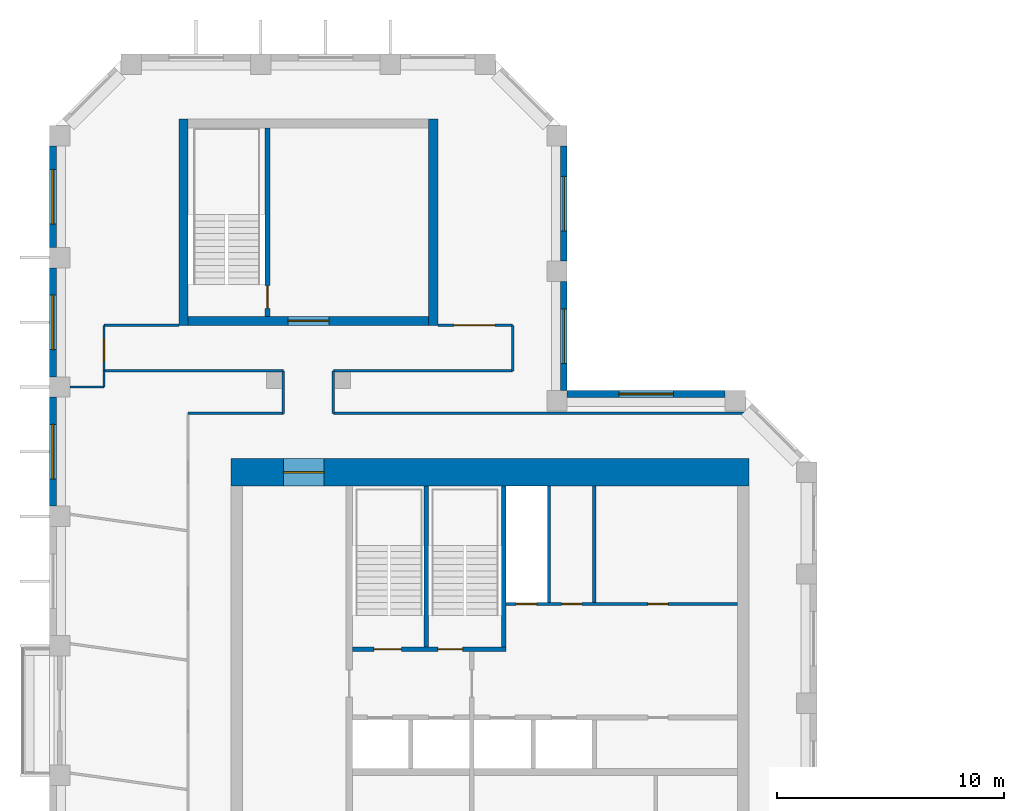
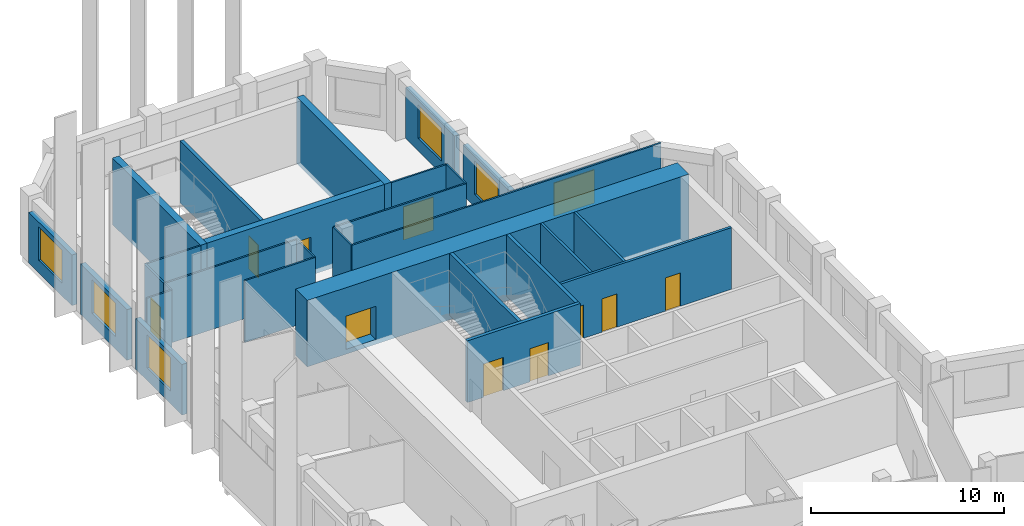
# One storey, part 6 of 8: 29 walls, 10 doors, 6 windows, 16 openings.
"""IFC4 building model written with IfcOpenShell, lengths in metres."""

import ifcopenshell
import ifcopenshell.guid

model = None  # the IFC model being written
_history = None  # IfcOwnerHistory: only IFC2X3 demands one
_inside = {}  # id of a spatial element -> (the spatial element, [elements in it])
_under = {}  # id of a project, library or spatial element -> (it, [spatial elements below it])
_declared = {}  # id of a project -> (the project, [libraries it declares])
_typed = {}  # id of a type object -> (the type object, [elements of that type])
_made_of = {}  # id of a material, layer set ... -> (it, [elements and type objects made of it])


def new_model(schema):
    """Start an empty IFC model of exactly this schema.

    Asked for "IFC4X3", IfcOpenShell would pick the latest addendum, in which some entities
    have other attributes; the version numbers below select the first issue.
    IFC2X3 requires an IfcOwnerHistory on every rooted entity: one is made here for all.
    """
    global model, _history
    if schema == "IFC4X3":
        model = ifcopenshell.file(schema_version=(4, 3, 0, 0))
    else:
        model = ifcopenshell.file(schema=schema)
    _inside.clear()
    _under.clear()
    _declared.clear()
    _typed.clear()
    _made_of.clear()
    _history = None
    if model.schema == "IFC2X3":
        org = make("IfcOrganization", Name="unknown")
        user = make(
            "IfcPersonAndOrganization",
            ThePerson=make("IfcPerson", FamilyName="unknown"),
            TheOrganization=org,
        )
        app = make(
            "IfcApplication",
            ApplicationDeveloper=org,
            Version="unknown",
            ApplicationFullName="unknown",
            ApplicationIdentifier="unknown",
        )
        _history = make(
            "IfcOwnerHistory",
            OwningUser=user,
            OwningApplication=app,
            ChangeAction="ADDED",
            CreationDate=0,
        )
    return model


def make(cls, **values):
    """One entity of the class cls with the attributes given. An attribute that is None is left unset."""
    return model.create_entity(
        cls, **{name: value for name, value in values.items() if value is not None}
    )


def rooted(cls, **values):
    """An entity with a GlobalId (a new one), such as an element, a storey or a relation."""
    return make(cls, GlobalId=ifcopenshell.guid.new(), OwnerHistory=_history, **values)


def si_unit(unit_type, name, prefix=None):
    """IfcSIUnit, for example si_unit("LENGTHUNIT", "METRE", prefix="MILLI")."""
    return make("IfcSIUnit", UnitType=unit_type, Prefix=prefix, Name=name)


def assignment(units):
    """IfcUnitAssignment: the units of a project."""
    return None if units is None else make("IfcUnitAssignment", Units=units)


def point(xyz):
    """IfcCartesianPoint."""
    return None if xyz is None else make("IfcCartesianPoint", Coordinates=xyz)


def direction(xyz):
    """IfcDirection."""
    return None if xyz is None else make("IfcDirection", DirectionRatios=xyz)


def frame(location, z_axis=None, x_axis=None):
    """IfcAxis2Placement3D, a coordinate frame: its origin and axes. An axis left out is left unset."""
    return make(
        "IfcAxis2Placement3D",
        Location=point(location),
        Axis=direction(z_axis),
        RefDirection=direction(x_axis),
    )


def frame_2d(location, x_axis=None):
    """IfcAxis2Placement2D, a coordinate frame in the plane: its origin and x axis."""
    return make(
        "IfcAxis2Placement2D", Location=point(location), RefDirection=direction(x_axis)
    )


def origin():
    """The frame at (0, 0, 0) with its axes left unset."""
    return frame((0.0, 0.0, 0.0))


def place(relative_to, where):
    """IfcLocalPlacement: puts the frame where relative to a parent placement (None: the world)."""
    return make(
        "IfcLocalPlacement", PlacementRelTo=relative_to, RelativePlacement=where
    )


def context(
    kind, dimensions, precision=None, world=None, true_north=None, identifier=None
):
    """IfcGeometricRepresentationContext, for example the 3D "Model" context."""
    return make(
        "IfcGeometricRepresentationContext",
        ContextIdentifier=identifier,
        ContextType=kind,
        CoordinateSpaceDimension=dimensions,
        Precision=precision,
        WorldCoordinateSystem=world,
        TrueNorth=true_north,
    )


def subcontext(parent, identifier, kind, view, scale=None):
    """IfcGeometricRepresentationSubContext, for example "Body" below "Model"."""
    return make(
        "IfcGeometricRepresentationSubContext",
        ContextIdentifier=identifier,
        ContextType=kind,
        ParentContext=parent,
        TargetScale=scale,
        TargetView=view,
    )


def project(units=None, contexts=None):
    """IfcProject with its units and contexts."""
    return rooted(
        "IfcProject",
        Name="project",
        RepresentationContexts=contexts,
        UnitsInContext=assignment(units),
    )


def spatial(cls, under=None, at=None, **own):
    """A site, building, storey or space (cls), placed at a placement, below another one or the project."""
    s = rooted(cls, ObjectPlacement=at, **own)
    if under is not None:
        _under.setdefault(under.id(), (under, []))[1].append(s)
    return s


def profile(cls, at=None, kind="AREA", **sizes):
    """A parametric profile (cls). Its sizes go by their IFC names, for example OverallWidth=200.0."""
    return make(cls, ProfileType=kind, Position=at, **sizes)


def rectangle(**sizes):
    """IfcRectangleProfileDef."""
    return profile("IfcRectangleProfileDef", **sizes)


def extrude(swept, where, along, depth):
    """IfcExtrudedAreaSolid: the profile swept, set in the frame where, extruded along a direction by depth."""
    return make(
        "IfcExtrudedAreaSolid",
        SweptArea=swept,
        Position=where,
        ExtrudedDirection=direction(along),
        Depth=depth,
    )


def shape(context_of_items, identifier, shape_type, items):
    """IfcShapeRepresentation: the items that make up one representation, for example the "Body"."""
    return make(
        "IfcShapeRepresentation",
        ContextOfItems=context_of_items,
        RepresentationIdentifier=identifier,
        RepresentationType=shape_type,
        Items=items,
    )


def material(Name=None, Category=None):
    """IfcMaterial."""
    return make("IfcMaterial", Name=Name, Category=Category)


def layer(
    of_material, thickness, ventilated=None, Name=None, Category=None, Priority=None
):
    """IfcMaterialLayer: one layer of a wall or slab, of a material (None: an air gap)."""
    return make(
        "IfcMaterialLayer",
        Material=of_material,
        LayerThickness=thickness,
        IsVentilated=ventilated,
        Name=Name,
        Category=Category,
        Priority=Priority,
    )


def layer_set(layers, Name=None):
    """IfcMaterialLayerSet."""
    return make("IfcMaterialLayerSet", MaterialLayers=layers, LayerSetName=Name)


def made_of(thing, what):
    """Note that an element or type object is made of a material, layer set ...; save() writes the relation."""
    if what is not None:
        _made_of.setdefault(what.id(), (what, []))[1].append(thing)
    return thing


def type_object(cls, material=None, **own):
    """A type object (cls), such as IfcWallType, which elements share."""
    return made_of(rooted(cls, **own), material)


def element(
    cls,
    number,
    at=None,
    inside=None,
    cuts=None,
    type_object=None,
    material=None,
    context=None,
    identifier="Body",
    shape_type=None,
    held_by="IfcProductDefinitionShape",
    body=None,
    shapes=None,
    **own,
):
    """One element of the class cls, such as IfcWall. Its Tag is "e" and its number.

    at: its placement. inside: the storey or other place that contains it. cuts: it is an
    opening in that element (IfcRelVoidsElement). A single representation is given by context,
    identifier, shape_type and body (its items); several are given by shapes. held_by: the class
    of the entity that holds the representations. save() writes the other relations.
    """
    e = rooted(cls, Tag="e%d" % number, ObjectPlacement=at, **own)
    if body is not None:
        shapes = [shape(context, identifier, shape_type, body)]
    if shapes is not None:
        e.Representation = make(held_by, Representations=shapes)
    if inside is not None:
        _inside.setdefault(inside.id(), (inside, []))[1].append(e)
    if cuts is not None:
        rooted(
            "IfcRelVoidsElement", RelatingBuildingElement=cuts, RelatedOpeningElement=e
        )
    if type_object is not None:
        _typed.setdefault(type_object.id(), (type_object, []))[1].append(e)
    return made_of(e, material)


def fill(opening, filler):
    """IfcRelFillsElement: the door or window that sits in an opening."""
    return rooted(
        "IfcRelFillsElement",
        RelatingOpeningElement=opening,
        RelatedBuildingElement=filler,
    )


def aggregate(whole, parts):
    """IfcRelAggregates: a whole, such as a stair, and the parts it consists of."""
    return rooted("IfcRelAggregates", RelatingObject=whole, RelatedObjects=parts)


def save(model, path):
    """Write the relations noted so far, then the file.

    IfcRelAggregates (storeys below a building ...), IfcRelContainedInSpatialStructure (elements
    in a storey), IfcRelDefinesByType, IfcRelAssociatesMaterial and IfcRelDeclares: one each for
    every whole, place, type object, material and project.
    """
    for whole, parts in _under.values():
        aggregate(whole, parts)
    for where, things in _inside.values():
        rooted(
            "IfcRelContainedInSpatialStructure",
            RelatedElements=things,
            RelatingStructure=where,
        )
    for kind, things in _typed.values():
        rooted("IfcRelDefinesByType", RelatedObjects=things, RelatingType=kind)
    for what, things in _made_of.values():
        rooted("IfcRelAssociatesMaterial", RelatedObjects=things, RelatingMaterial=what)
    for by, libraries in _declared.values():
        rooted("IfcRelDeclares", RelatingContext=by, RelatedDefinitions=libraries)
    model.write(path)


model = new_model("IFC4")

# Units and contexts
model_context = context("Model", 3, precision=1e-05, world=origin(), true_north=direction((0.0, 1.0)))
body_context = subcontext(model_context, "Body", "Model", "MODEL_VIEW")
ifc_project = project(units=[si_unit("LENGTHUNIT", "METRE"), si_unit("AREAUNIT", "SQUARE_METRE"), si_unit("VOLUMEUNIT", "CUBIC_METRE"), si_unit("PLANEANGLEUNIT", "RADIAN"), si_unit("MASSUNIT", "GRAM", prefix="KILO")], contexts=[model_context])

# Site, building, storey
site_placement = place(None, origin())
site = spatial("IfcSite", under=ifc_project, at=site_placement, CompositionType="ELEMENT")
building_placement = place(site_placement, origin())
building = spatial("IfcBuilding", under=site, at=building_placement, Name="Meshkara Civic Tower", CompositionType="ELEMENT")
storey_placement = place(building_placement, frame((0.0, 0.0, 387.60009765625)))
storey = spatial("IfcBuildingStorey", under=building, at=storey_placement, Name="L89", CompositionType="ELEMENT", Elevation=387.60009765625)

# Wall, openings, doors
ifc_material_1 = material(Name="Blockwork", Category="masonry")
ifc_layer_1 = layer(ifc_material_1, 0.14990234375)
ifc_layer_set_1 = layer_set([ifc_layer_1], Name="Core partition 150")
wall_type_1 = type_object("IfcWallType", Name="Core partition 150", PredefinedType="PARTITIONING", material=ifc_layer_set_1)
wall_1_placement = place(storey_placement, frame((20.10009765625, 30.5, 0.0), z_axis=(0.0, 0.0, 1.0), x_axis=(1.0, 0.0, 0.0)))
wall_1 = element("IfcWall", 1, at=wall_1_placement, inside=storey, type_object=wall_type_1, Name="L89-C010", PredefinedType="PARTITIONING", context=body_context, shape_type="SweptSolid", body=[
    extrude(rectangle(XDim=10.199951171875, YDim=0.14990234375, at=frame_2d((5.10009765625, 0.0))), origin(), (0.0, 0.0, 1.0), 3.89990234375),
])
opening_1_placement = place(wall_1_placement, frame((0.449951171875, 0.0, 0.0)))
opening_1 = element("IfcOpeningElement", 2, at=opening_1_placement, cuts=wall_1, Name="Opening L89-K014", PredefinedType="OPENING", context=body_context, shape_type="SweptSolid", body=[
    extrude(rectangle(XDim=0.89990234375, YDim=2.10009765625, at=frame_2d((0.449951171875, 1.050048828125))), frame((0.0, 0.0849609375, 0.0), z_axis=(0.0, -1.0, 0.0), x_axis=(1.0, 0.0, 0.0)), (0.0, 0.0, 1.0), 0.169921875),
])
opening_2_placement = place(wall_1_placement, frame((2.449951171875, 0.0, 0.0)))
opening_2 = element("IfcOpeningElement", 3, at=opening_2_placement, cuts=wall_1, Name="Opening L89-K015", PredefinedType="OPENING", context=body_context, shape_type="SweptSolid", body=[
    extrude(rectangle(XDim=0.89990234375, YDim=2.10009765625, at=frame_2d((0.449951171875, 1.050048828125))), frame((0.0, 0.0849609375, 0.0), z_axis=(0.0, -1.0, 0.0), x_axis=(1.0, 0.0, 0.0)), (0.0, 0.0, 1.0), 0.169921875),
])
opening_3_placement = place(wall_1_placement, frame((6.25, 0.0, 0.0)))
opening_3 = element("IfcOpeningElement", 4, at=opening_3_placement, cuts=wall_1, Name="Opening L89-K016", PredefinedType="OPENING", context=body_context, shape_type="SweptSolid", body=[
    extrude(rectangle(XDim=0.89990234375, YDim=2.10009765625, at=frame_2d((0.449951171875, 1.050048828125))), frame((0.0, 0.0849609375, 0.0), z_axis=(0.0, -1.0, 0.0), x_axis=(1.0, 0.0, 0.0)), (0.0, 0.0, 1.0), 0.169921875),
])
ifc_material_2 = material(Name="Timber door leaf in steel frame", Category="steel")
door_type_1 = type_object("IfcDoorType", Name="Core room door 900", OperationType="SINGLE_SWING_LEFT", PredefinedType="DOOR", material=ifc_material_2)
door_1_placement = place(opening_3_placement, origin())
door_1 = element("IfcDoor", 5, at=door_1_placement, inside=storey, type_object=door_type_1, Name="L89-K016", OperationType="SINGLE_SWING_RIGHT", OverallHeight=2.10009765625, OverallWidth=0.89990234375, PredefinedType="DOOR", context=body_context, shape_type="SweptSolid", body=[
    extrude(rectangle(XDim=0.89990234375, YDim=2.10009765625, at=frame_2d((0.449951171875, 1.050048828125))), frame((0.0, 0.02490234375, 0.0), z_axis=(0.0, -1.0, 0.0), x_axis=(1.0, 0.0, 0.0)), (0.0, 0.0, 1.0), 0.050048828125),
])
fill(opening_3, door_1)
ifc_material_3 = material(Name="Fire-rated door leaf in steel frame", Category="steel")
door_type_2 = type_object("IfcDoorType", Name="Riser door 900", OperationType="SINGLE_SWING_LEFT", PredefinedType="DOOR", material=ifc_material_3)
door_2_placement = place(opening_1_placement, origin())
door_2 = element("IfcDoor", 6, at=door_2_placement, inside=storey, type_object=door_type_2, Name="L89-K014", OperationType="SINGLE_SWING_RIGHT", OverallHeight=2.10009765625, OverallWidth=0.89990234375, PredefinedType="DOOR", context=body_context, shape_type="SweptSolid", body=[
    extrude(rectangle(XDim=0.89990234375, YDim=2.10009765625, at=frame_2d((0.449951171875, 1.050048828125))), frame((0.0, 0.02490234375, 0.0), z_axis=(0.0, -1.0, 0.0), x_axis=(1.0, 0.0, 0.0)), (0.0, 0.0, 1.0), 0.050048828125),
])
fill(opening_1, door_2)
ifc_material_4 = material(Name="Timber door leaf in steel frame", Category="steel")
door_type_3 = type_object("IfcDoorType", Name="WC door 900", OperationType="SINGLE_SWING_LEFT", PredefinedType="DOOR", material=ifc_material_4)
door_3_placement = place(opening_2_placement, origin())
door_3 = element("IfcDoor", 7, at=door_3_placement, inside=storey, type_object=door_type_3, Name="L89-K015", OperationType="SINGLE_SWING_LEFT", OverallHeight=2.10009765625, OverallWidth=0.89990234375, PredefinedType="DOOR", context=body_context, shape_type="SweptSolid", body=[
    extrude(rectangle(XDim=0.89990234375, YDim=2.10009765625, at=frame_2d((0.449951171875, 1.050048828125))), frame((0.0, 0.02490234375, 0.0), z_axis=(0.0, -1.0, 0.0), x_axis=(1.0, 0.0, 0.0)), (0.0, 0.0, 1.0), 0.050048828125),
])
fill(opening_2, door_3)

# Walls
for number, where, z_axis, x_axis, name in (
    (8, (22.0, 30.574951171875, 0.0), (0.0, 0.0, 1.0), (0.0, 1.0, 0.0), "L89-C020"),
    (9, (24.0, 30.574951171875, 0.0), (0.0, 0.0, 1.0), (0.0, 1.0, 0.0), "L89-C023"),
):
    element("IfcWall", number, at=place(storey_placement, frame(where, z_axis=z_axis, x_axis=x_axis)), inside=storey, type_object=wall_type_1, Name=name, PredefinedType="PARTITIONING", context=body_context, shape_type="SweptSolid", body=[
        extrude(rectangle(XDim=5.125, YDim=0.14990234375, at=frame_2d((2.5625, 0.0))), origin(), (0.0, 0.0, 1.0), 3.89990234375),
    ])

# Wall, opening, door
ifc_material_5 = material(Name="Concrete C50", Category="concrete")
ifc_layer_2 = layer(ifc_material_5, 1.199951171875)
ifc_layer_set_2 = layer_set([ifc_layer_2], Name="Core ring wall 1200 C50")
wall_type_2 = type_object("IfcWallType", Name="Core ring wall 1200 C50", PredefinedType="SHEAR", material=ifc_layer_set_2)
wall_2_placement = place(storey_placement, frame((8.0, 36.300048828125, -0.300048828125), z_axis=(0.0, 0.0, 1.0), x_axis=(1.0, 0.0, 0.0)))
wall_2 = element("IfcWall", 10, at=wall_2_placement, inside=storey, type_object=wall_type_2, Name="L89-C002", PredefinedType="SHEAR", context=body_context, shape_type="SweptSolid", body=[
    extrude(rectangle(XDim=22.800048828125, YDim=1.199951171875, at=frame_2d((11.39990234375, 0.0))), origin(), (0.0, 0.0, 1.0), 4.199951171875),
])
opening_4_placement = place(wall_2_placement, frame((2.300048828125, 0.0, 0.300048828125)))
opening_4 = element("IfcOpeningElement", 11, at=opening_4_placement, cuts=wall_2, Name="Opening L89-K022", PredefinedType="OPENING", context=body_context, shape_type="SweptSolid", body=[
    extrude(rectangle(XDim=1.800048828125, YDim=2.10009765625, at=frame_2d((0.89990234375, 1.050048828125))), frame((0.0, 0.60986328125, 0.0), z_axis=(0.0, -1.0, 0.0), x_axis=(1.0, 0.0, 0.0)), (0.0, 0.0, 1.0), 1.219970703125),
])
ifc_material_6 = material(Name="Fire-rated door leaf in steel frame", Category="steel")
door_type_4 = type_object("IfcDoorType", Name="Core double door 1800 EI 60", OperationType="DOUBLE_DOOR_SINGLE_SWING", PredefinedType="DOOR", material=ifc_material_6)
door_4_placement = place(opening_4_placement, origin())
door_4 = element("IfcDoor", 12, at=door_4_placement, inside=storey, type_object=door_type_4, Name="L89-K022", OperationType="DOUBLE_DOOR_SINGLE_SWING", OverallHeight=2.10009765625, OverallWidth=1.800048828125, PredefinedType="DOOR", context=body_context, shape_type="SweptSolid", body=[
    extrude(rectangle(XDim=1.800048828125, YDim=2.10009765625, at=frame_2d((0.89990234375, 1.050048828125))), frame((0.0, 0.02490234375, 0.0), z_axis=(0.0, -1.0, 0.0), x_axis=(1.0, 0.0, 0.0)), (0.0, 0.0, 1.0), 0.050048828125),
])
fill(opening_4, door_4)

# Wall
ifc_material_7 = material(Name="Corridor wall 100")
ifc_layer_3 = layer(ifc_material_7, 0.10009765625)
ifc_layer_set_3 = layer_set([ifc_layer_3], Name="Corridor wall 100")
wall_type_3 = type_object("IfcWallType", Name="Corridor wall 100", PredefinedType="PARTITIONING", material=ifc_layer_set_3)
wall_3_placement = place(storey_placement, frame((2.39990234375, 40.77001953125, 0.0), z_axis=(0.0, 0.0, 1.0), x_axis=(1.0, 0.0, 0.0)))
element("IfcWall", 13, at=wall_3_placement, inside=storey, type_object=wall_type_3, Name="L89-W001", PredefinedType="PARTITIONING", context=body_context, shape_type="SweptSolid", body=[
    extrude(rectangle(XDim=7.900146484375, YDim=0.10009765625, at=frame_2d((3.9501953125, 0.0))), origin(), (0.0, 0.0, 1.0), 3.89990234375),
])

# Wall, opening, door
wall_4_placement = place(storey_placement, frame((2.39990234375, 42.77001953125, 0.0), z_axis=(0.0, 0.0, 1.0), x_axis=(0.0, -1.0, 0.0)))
wall_4 = element("IfcWall", 14, at=wall_4_placement, inside=storey, type_object=wall_type_3, Name="L89-W002", PredefinedType="PARTITIONING", context=body_context, shape_type="SweptSolid", body=[
    extrude(rectangle(XDim=2.0, YDim=0.10009765625, at=frame_2d((1.0, 0.0))), origin(), (0.0, 0.0, 1.0), 3.89990234375),
])
opening_5_placement = place(wall_4_placement, frame((0.580078125, 0.0, 0.0)))
opening_5 = element("IfcOpeningElement", 15, at=opening_5_placement, cuts=wall_4, Name="Opening L89-D014", PredefinedType="OPENING", context=body_context, shape_type="SweptSolid", body=[
    extrude(rectangle(XDim=1.0, YDim=2.10009765625, at=frame_2d((0.5, 1.050048828125))), frame((0.0, 0.06005859375, 0.0), z_axis=(0.0, -1.0, 0.0), x_axis=(1.0, 0.0, 0.0)), (0.0, 0.0, 1.0), 0.1201171875),
])
ifc_material_8 = material(Name="Door 1000 x 2100")
door_type_5 = type_object("IfcDoorType", Name="Door 1000 x 2100", OperationType="SINGLE_SWING_LEFT", PredefinedType="DOOR", material=ifc_material_8)
door_5_placement = place(opening_5_placement, origin())
door_5 = element("IfcDoor", 16, at=door_5_placement, inside=storey, type_object=door_type_5, Name="L89-D014", OperationType="SINGLE_SWING_LEFT", OverallHeight=2.10009765625, OverallWidth=1.0, PredefinedType="DOOR", context=body_context, shape_type="SweptSolid", body=[
    extrude(rectangle(XDim=1.0, YDim=2.10009765625, at=frame_2d((0.5, 1.050048828125))), frame((0.0, 0.02490234375, 0.0), z_axis=(0.0, -1.0, 0.0), x_axis=(1.0, 0.0, 0.0)), (0.0, 0.0, 1.0), 0.050048828125),
])
fill(opening_5, door_5)

# Walls
wall_5_placement = place(storey_placement, frame((5.699951171875, 42.77001953125, 0.0), z_axis=(0.0, 0.0, 1.0), x_axis=(-1.0, 0.0, 0.0)))
element("IfcWall", 17, at=wall_5_placement, inside=storey, type_object=wall_type_3, Name="L89-W003", PredefinedType="PARTITIONING", context=body_context, shape_type="SweptSolid", body=[
    extrude(rectangle(XDim=3.300048828125, YDim=0.10009765625, at=frame_2d((1.64990234375, 0.0))), origin(), (0.0, 0.0, 1.0), 3.89990234375),
])
wall_6_placement = place(storey_placement, frame((10.300048828125, 38.89990234375, 0.0), z_axis=(0.0, 0.0, 1.0), x_axis=(-1.0, 0.0, 0.0)))
element("IfcWall", 18, at=wall_6_placement, inside=storey, type_object=wall_type_3, Name="L89-W011", PredefinedType="PARTITIONING", context=body_context, shape_type="SweptSolid", body=[
    extrude(rectangle(XDim=4.199951171875, YDim=0.10009765625, at=frame_2d((2.10009765625, 0.0))), origin(), (0.0, 0.0, 1.0), 3.89990234375),
])
for number, where, z_axis, x_axis, name in (
    (19, (10.300048828125, 40.77001953125, 0.0), (0.0, 0.0, 1.0), (0.0, -1.0, 0.0), "L89-W012"),
    (20, (12.5, 38.89990234375, 0.0), (0.0, 0.0, 1.0), (0.0, 1.0, 0.0), "L89-W013"),
):
    element("IfcWall", number, at=place(storey_placement, frame(where, z_axis=z_axis, x_axis=x_axis)), inside=storey, type_object=wall_type_3, Name=name, PredefinedType="PARTITIONING", context=body_context, shape_type="SweptSolid", body=[
        extrude(rectangle(XDim=1.8701171875, YDim=0.10009765625, at=frame_2d((0.93505859375, 0.0))), origin(), (0.0, 0.0, 1.0), 3.89990234375),
    ])
wall_7_placement = place(storey_placement, frame((12.5, 40.77001953125, 0.0), z_axis=(0.0, 0.0, 1.0), x_axis=(1.0, 0.0, 0.0)))
element("IfcWall", 21, at=wall_7_placement, inside=storey, type_object=wall_type_3, Name="L89-W014", PredefinedType="PARTITIONING", context=body_context, shape_type="SweptSolid", body=[
    extrude(rectangle(XDim=7.89990234375, YDim=0.10009765625, at=frame_2d((3.949951171875, 0.0))), origin(), (0.0, 0.0, 1.0), 3.89990234375),
])
wall_8_placement = place(storey_placement, frame((20.39990234375, 40.77001953125, 0.0), z_axis=(0.0, 0.0, 1.0), x_axis=(0.0, 1.0, 0.0)))
element("IfcWall", 22, at=wall_8_placement, inside=storey, type_object=wall_type_3, Name="L89-W016", PredefinedType="PARTITIONING", context=body_context, shape_type="SweptSolid", body=[
    extrude(rectangle(XDim=2.0, YDim=0.10009765625, at=frame_2d((1.0, 0.0))), origin(), (0.0, 0.0, 1.0), 3.89990234375),
])

# Wall, opening, door
wall_9_placement = place(storey_placement, frame((20.39990234375, 42.77001953125, 0.0), z_axis=(0.0, 0.0, 1.0), x_axis=(-1.0, 0.0, 0.0)))
wall_9 = element("IfcWall", 23, at=wall_9_placement, inside=storey, type_object=wall_type_3, Name="L89-W017", PredefinedType="PARTITIONING", context=body_context, shape_type="SweptSolid", body=[
    extrude(rectangle(XDim=3.2998046875, YDim=0.10009765625, at=frame_2d((1.64990234375, 0.0))), origin(), (0.0, 0.0, 1.0), 3.89990234375),
])
opening_6_placement = place(wall_9_placement, frame((0.780029296875, 0.0, 0.0)))
opening_6 = element("IfcOpeningElement", 24, at=opening_6_placement, cuts=wall_9, Name="Opening L89-D016", PredefinedType="OPENING", context=body_context, shape_type="SweptSolid", body=[
    extrude(rectangle(XDim=1.800048828125, YDim=2.10009765625, at=frame_2d((0.89990234375, 1.050048828125))), frame((0.0, 0.06005859375, 0.0), z_axis=(0.0, -1.0, 0.0), x_axis=(1.0, 0.0, 0.0)), (0.0, 0.0, 1.0), 0.1201171875),
])
ifc_material_9 = material(Name="Door pair 1800 x 2100")
door_type_6 = type_object("IfcDoorType", Name="Door pair 1800 x 2100", OperationType="SINGLE_SWING_LEFT", PredefinedType="DOOR", material=ifc_material_9)
door_6_placement = place(opening_6_placement, origin())
door_6 = element("IfcDoor", 25, at=door_6_placement, inside=storey, type_object=door_type_6, Name="L89-D016", OperationType="DOUBLE_DOOR_SINGLE_SWING", OverallHeight=2.10009765625, OverallWidth=1.800048828125, PredefinedType="DOOR", context=body_context, shape_type="SweptSolid", body=[
    extrude(rectangle(XDim=1.800048828125, YDim=2.10009765625, at=frame_2d((0.89990234375, 1.050048828125))), frame((0.0, 0.02490234375, 0.0), z_axis=(0.0, -1.0, 0.0), x_axis=(1.0, 0.0, 0.0)), (0.0, 0.0, 1.0), 0.050048828125),
])
fill(opening_6, door_6)

# Wall
wall_10_placement = place(storey_placement, frame((30.9560546875, 38.89990234375, 0.0), z_axis=(0.0, 0.0, 1.0), x_axis=(-1.0, 0.0, 0.0)))
element("IfcWall", 26, at=wall_10_placement, inside=storey, type_object=wall_type_3, Name="L89-W023", PredefinedType="PARTITIONING", context=body_context, shape_type="SweptSolid", body=[
    extrude(rectangle(XDim=18.4560546875, YDim=0.10009765625, at=frame_2d((9.22802734375, 0.0))), origin(), (0.0, 0.0, 1.0), 3.89990234375),
])

# Wall, opening, window
ifc_material_10 = material(Name="Insulated infill panel with bronze anodised aluminium cladding", Category="aluminium")
ifc_layer_4 = layer(ifc_material_10, 0.300048828125)
ifc_layer_set_4 = layer_set([ifc_layer_4], Name="EXTERNAL INFILL WALL 300")
wall_type_4 = type_object("IfcWallType", Name="EXTERNAL INFILL WALL 300", PredefinedType="SOLIDWALL", material=ifc_layer_set_4)
wall_11_placement = place(storey_placement, frame((29.743896484375, 39.75, 0.0), z_axis=(0.0, 0.0, 1.0), x_axis=(-1.0, 0.0, 0.0)))
wall_11 = element("IfcWall", 27, at=wall_11_placement, inside=storey, type_object=wall_type_4, Name="External wall", PredefinedType="SOLIDWALL", context=body_context, shape_type="SweptSolid", body=[
    extrude(rectangle(XDim=6.94384765625, YDim=0.300048828125, at=frame_2d((3.471923828125, 0.0))), origin(), (0.0, 0.0, 1.0), 3.199951171875),
])
opening_7_placement = place(wall_11_placement, frame((2.27197265625, 0.0, 0.800048828125)))
opening_7 = element("IfcOpeningElement", 28, at=opening_7_placement, cuts=wall_11, Name="Opening W7", PredefinedType="OPENING", context=body_context, shape_type="SweptSolid", body=[
    extrude(rectangle(XDim=2.39990234375, YDim=2.10009765625, at=frame_2d((1.199951171875, 1.050048828125))), frame((0.0, 0.159912109375, 0.0), z_axis=(0.0, -1.0, 0.0), x_axis=(1.0, 0.0, 0.0)), (0.0, 0.0, 1.0), 0.320068359375),
])
ifc_material_11 = material(Name="Tinted double glazing", Category="glass")
window_type = type_object("IfcWindowType", Name="WINDOW 2400x2100", PartitioningType="DOUBLE_PANEL_VERTICAL", PredefinedType="WINDOW", material=ifc_material_11)
window_1_placement = place(opening_7_placement, origin())
window_1 = element("IfcWindow", 29, at=window_1_placement, inside=storey, type_object=window_type, Name="Window", OverallHeight=2.10009765625, OverallWidth=2.39990234375, PartitioningType="DOUBLE_PANEL_VERTICAL", PredefinedType="WINDOW", context=body_context, shape_type="SweptSolid", body=[
    extrude(rectangle(XDim=2.39990234375, YDim=2.10009765625, at=frame_2d((1.199951171875, 1.050048828125))), frame((0.0, 0.030029296875, 0.0), z_axis=(0.0, -1.0, 0.0), x_axis=(1.0, 0.0, 0.0)), (0.0, 0.0, 1.0), 0.06005859375),
])
fill(opening_7, window_1)

wall_12_placement = place(storey_placement, frame((22.64990234375, 39.89990234375, 0.0), z_axis=(0.0, 0.0, 1.0), x_axis=(0.0, 1.0, 0.0)))
wall_12 = element("IfcWall", 30, at=wall_12_placement, inside=storey, type_object=wall_type_4, Name="External wall", PredefinedType="SOLIDWALL", context=body_context, shape_type="SweptSolid", body=[
    extrude(rectangle(XDim=4.800048828125, YDim=0.300048828125, at=frame_2d((2.39990234375, 0.0))), origin(), (0.0, 0.0, 1.0), 3.199951171875),
])
opening_8_placement = place(wall_12_placement, frame((1.199951171875, 0.0, 0.800048828125)))
opening_8 = element("IfcOpeningElement", 31, at=opening_8_placement, cuts=wall_12, Name="Opening W7", PredefinedType="OPENING", context=body_context, shape_type="SweptSolid", body=[
    extrude(rectangle(XDim=2.39990234375, YDim=2.10009765625, at=frame_2d((1.199951171875, 1.050048828125))), frame((0.0, 0.159912109375, 0.0), z_axis=(0.0, -1.0, 0.0), x_axis=(1.0, 0.0, 0.0)), (0.0, 0.0, 1.0), 0.320068359375),
])
window_2_placement = place(opening_8_placement, origin())
window_2 = element("IfcWindow", 32, at=window_2_placement, inside=storey, type_object=window_type, Name="Window", OverallHeight=2.10009765625, OverallWidth=2.39990234375, PartitioningType="DOUBLE_PANEL_VERTICAL", PredefinedType="WINDOW", context=body_context, shape_type="SweptSolid", body=[
    extrude(rectangle(XDim=2.39990234375, YDim=2.10009765625, at=frame_2d((1.199951171875, 1.050048828125))), frame((0.0, 0.030029296875, 0.0), z_axis=(0.0, -1.0, 0.0), x_axis=(1.0, 0.0, 0.0)), (0.0, 0.0, 1.0), 0.06005859375),
])
fill(opening_8, window_2)

wall_13_placement = place(storey_placement, frame((22.64990234375, 45.60009765625, 0.0), z_axis=(0.0, 0.0, 1.0), x_axis=(0.0, 1.0, 0.0)))
wall_13 = element("IfcWall", 33, at=wall_13_placement, inside=storey, type_object=wall_type_4, Name="External wall", PredefinedType="SOLIDWALL", context=body_context, shape_type="SweptSolid", body=[
    extrude(rectangle(XDim=5.06396484375, YDim=0.300048828125, at=frame_2d((2.531982421875, 0.0))), origin(), (0.0, 0.0, 1.0), 3.199951171875),
])
opening_9_placement = place(wall_13_placement, frame((1.33203125, 0.0, 0.800048828125)))
opening_9 = element("IfcOpeningElement", 34, at=opening_9_placement, cuts=wall_13, Name="Opening W7", PredefinedType="OPENING", context=body_context, shape_type="SweptSolid", body=[
    extrude(rectangle(XDim=2.39990234375, YDim=2.10009765625, at=frame_2d((1.199951171875, 1.050048828125))), frame((0.0, 0.159912109375, 0.0), z_axis=(0.0, -1.0, 0.0), x_axis=(1.0, 0.0, 0.0)), (0.0, 0.0, 1.0), 0.320068359375),
])
window_3_placement = place(opening_9_placement, origin())
window_3 = element("IfcWindow", 35, at=window_3_placement, inside=storey, type_object=window_type, Name="Window", OverallHeight=2.10009765625, OverallWidth=2.39990234375, PartitioningType="DOUBLE_PANEL_VERTICAL", PredefinedType="WINDOW", context=body_context, shape_type="SweptSolid", body=[
    extrude(rectangle(XDim=2.39990234375, YDim=2.10009765625, at=frame_2d((1.199951171875, 1.050048828125))), frame((0.0, 0.030029296875, 0.0), z_axis=(0.0, -1.0, 0.0), x_axis=(1.0, 0.0, 0.0)), (0.0, 0.0, 1.0), 0.06005859375),
])
fill(opening_9, window_3)

wall_14_placement = place(storey_placement, frame((0.14990234375, 50.6640625, 0.0), z_axis=(0.0, 0.0, 1.0), x_axis=(0.0, -1.0, 0.0)))
wall_14 = element("IfcWall", 36, at=wall_14_placement, inside=storey, type_object=wall_type_4, Name="External wall", PredefinedType="SOLIDWALL", context=body_context, shape_type="SweptSolid", body=[
    extrude(rectangle(XDim=4.458984375, YDim=0.300048828125, at=frame_2d((2.2294921875, 0.0))), origin(), (0.0, 0.0, 1.0), 3.199951171875),
])
opening_10_placement = place(wall_14_placement, frame((1.029052734375, 0.0, 0.800048828125)))
opening_10 = element("IfcOpeningElement", 37, at=opening_10_placement, cuts=wall_14, Name="Opening W7", PredefinedType="OPENING", context=body_context, shape_type="SweptSolid", body=[
    extrude(rectangle(XDim=2.39990234375, YDim=2.10009765625, at=frame_2d((1.199951171875, 1.050048828125))), frame((0.0, 0.159912109375, 0.0), z_axis=(0.0, -1.0, 0.0), x_axis=(1.0, 0.0, 0.0)), (0.0, 0.0, 1.0), 0.320068359375),
])
window_4_placement = place(opening_10_placement, origin())
window_4 = element("IfcWindow", 38, at=window_4_placement, inside=storey, type_object=window_type, Name="Window", OverallHeight=2.10009765625, OverallWidth=2.39990234375, PartitioningType="DOUBLE_PANEL_VERTICAL", PredefinedType="WINDOW", context=body_context, shape_type="SweptSolid", body=[
    extrude(rectangle(XDim=2.39990234375, YDim=2.10009765625, at=frame_2d((1.199951171875, 1.050048828125))), frame((0.0, 0.030029296875, 0.0), z_axis=(0.0, -1.0, 0.0), x_axis=(1.0, 0.0, 0.0)), (0.0, 0.0, 1.0), 0.06005859375),
])
fill(opening_10, window_4)

wall_15_placement = place(storey_placement, frame((0.14990234375, 45.304931640625, 0.0), z_axis=(0.0, 0.0, 1.0), x_axis=(0.0, -1.0, 0.0)))
wall_15 = element("IfcWall", 39, at=wall_15_placement, inside=storey, type_object=wall_type_4, Name="External wall", PredefinedType="SOLIDWALL", context=body_context, shape_type="SweptSolid", body=[
    extrude(rectangle(XDim=4.800048828125, YDim=0.300048828125, at=frame_2d((2.39990234375, 0.0))), origin(), (0.0, 0.0, 1.0), 3.199951171875),
])
opening_11_placement = place(wall_15_placement, frame((1.199951171875, 0.0, 0.800048828125)))
opening_11 = element("IfcOpeningElement", 40, at=opening_11_placement, cuts=wall_15, Name="Opening W7", PredefinedType="OPENING", context=body_context, shape_type="SweptSolid", body=[
    extrude(rectangle(XDim=2.39990234375, YDim=2.10009765625, at=frame_2d((1.199951171875, 1.050048828125))), frame((0.0, 0.159912109375, 0.0), z_axis=(0.0, -1.0, 0.0), x_axis=(1.0, 0.0, 0.0)), (0.0, 0.0, 1.0), 0.320068359375),
])
window_5_placement = place(opening_11_placement, origin())
window_5 = element("IfcWindow", 41, at=window_5_placement, inside=storey, type_object=window_type, Name="Window", OverallHeight=2.10009765625, OverallWidth=2.39990234375, PartitioningType="DOUBLE_PANEL_VERTICAL", PredefinedType="WINDOW", context=body_context, shape_type="SweptSolid", body=[
    extrude(rectangle(XDim=2.39990234375, YDim=2.10009765625, at=frame_2d((1.199951171875, 1.050048828125))), frame((0.0, 0.030029296875, 0.0), z_axis=(0.0, -1.0, 0.0), x_axis=(1.0, 0.0, 0.0)), (0.0, 0.0, 1.0), 0.06005859375),
])
fill(opening_11, window_5)

wall_16_placement = place(storey_placement, frame((0.14990234375, 39.60498046875, 0.0), z_axis=(0.0, 0.0, 1.0), x_axis=(0.0, -1.0, 0.0)))
wall_16 = element("IfcWall", 42, at=wall_16_placement, inside=storey, type_object=wall_type_4, Name="External wall", PredefinedType="SOLIDWALL", context=body_context, shape_type="SweptSolid", body=[
    extrude(rectangle(XDim=4.800048828125, YDim=0.300048828125, at=frame_2d((2.39990234375, 0.0))), origin(), (0.0, 0.0, 1.0), 3.199951171875),
])
opening_12_placement = place(wall_16_placement, frame((1.199951171875, 0.0, 0.800048828125)))
opening_12 = element("IfcOpeningElement", 43, at=opening_12_placement, cuts=wall_16, Name="Opening W7", PredefinedType="OPENING", context=body_context, shape_type="SweptSolid", body=[
    extrude(rectangle(XDim=2.39990234375, YDim=2.10009765625, at=frame_2d((1.199951171875, 1.050048828125))), frame((0.0, 0.159912109375, 0.0), z_axis=(0.0, -1.0, 0.0), x_axis=(1.0, 0.0, 0.0)), (0.0, 0.0, 1.0), 0.320068359375),
])
window_6_placement = place(opening_12_placement, origin())
window_6 = element("IfcWindow", 44, at=window_6_placement, inside=storey, type_object=window_type, Name="Window", OverallHeight=2.10009765625, OverallWidth=2.39990234375, PartitioningType="DOUBLE_PANEL_VERTICAL", PredefinedType="WINDOW", context=body_context, shape_type="SweptSolid", body=[
    extrude(rectangle(XDim=2.39990234375, YDim=2.10009765625, at=frame_2d((1.199951171875, 1.050048828125))), frame((0.0, 0.030029296875, 0.0), z_axis=(0.0, -1.0, 0.0), x_axis=(1.0, 0.0, 0.0)), (0.0, 0.0, 1.0), 0.06005859375),
])
fill(opening_12, window_6)

# Walls
ifc_material_12 = material(Name="Concrete C50", Category="concrete")
ifc_layer_5 = layer(ifc_material_12, 0.39990234375)
ifc_layer_set_5 = layer_set([ifc_layer_5], Name="End core ring wall 400 C50")
wall_type_5 = type_object("IfcWallType", Name="End core ring wall 400 C50", PredefinedType="SHEAR", material=ifc_layer_set_5)
for number, where, z_axis, x_axis, name in (
    (45, (5.89990234375, 42.77001953125, -0.300048828125), (0.0, 0.0, 1.0), (0.0, 1.0, 0.0), "L89-C027"),
    (46, (16.89990234375, 42.77001953125, -0.300048828125), (0.0, 0.0, 1.0), (0.0, 1.0, 0.0), "L89-C028"),
):
    element("IfcWall", number, at=place(storey_placement, frame(where, z_axis=z_axis, x_axis=x_axis)), inside=storey, type_object=wall_type_5, Name=name, PredefinedType="SHEAR", context=body_context, shape_type="SweptSolid", body=[
        extrude(rectangle(XDim=9.10009765625, YDim=0.39990234375, at=frame_2d((4.550048828125, 0.0))), origin(), (0.0, 0.0, 1.0), 4.199951171875),
    ])

# Wall, opening, door
wall_17_placement = place(storey_placement, frame((6.10009765625, 42.969970703125, -0.300048828125), z_axis=(0.0, 0.0, 1.0), x_axis=(1.0, 0.0, 0.0)))
wall_17 = element("IfcWall", 47, at=wall_17_placement, inside=storey, type_object=wall_type_5, Name="L89-C029", PredefinedType="SHEAR", context=body_context, shape_type="SweptSolid", body=[
    extrude(rectangle(XDim=10.599853515625, YDim=0.39990234375, at=frame_2d((5.2998046875, 0.0))), origin(), (0.0, 0.0, 1.0), 4.199951171875),
])
opening_13_placement = place(wall_17_placement, frame((4.39990234375, 0.0, 0.300048828125)))
opening_13 = element("IfcOpeningElement", 48, at=opening_13_placement, cuts=wall_17, Name="Opening L89-K102", PredefinedType="OPENING", context=body_context, shape_type="SweptSolid", body=[
    extrude(rectangle(XDim=1.800048828125, YDim=2.10009765625, at=frame_2d((0.89990234375, 1.050048828125))), frame((0.0, 0.2099609375, 0.0), z_axis=(0.0, -1.0, 0.0), x_axis=(1.0, 0.0, 0.0)), (0.0, 0.0, 1.0), 0.419921875),
])
door_7_placement = place(opening_13_placement, origin())
door_7 = element("IfcDoor", 49, at=door_7_placement, inside=storey, type_object=door_type_4, Name="L89-K102", OperationType="DOUBLE_DOOR_SINGLE_SWING", OverallHeight=2.10009765625, OverallWidth=1.800048828125, PredefinedType="DOOR", context=body_context, shape_type="SweptSolid", body=[
    extrude(rectangle(XDim=1.800048828125, YDim=2.10009765625, at=frame_2d((0.89990234375, 1.050048828125))), frame((0.0, 0.02490234375, 0.0), z_axis=(0.0, -1.0, 0.0), x_axis=(1.0, 0.0, 0.0)), (0.0, 0.0, 1.0), 0.050048828125),
])
fill(opening_13, door_7)

# Walls
ifc_material_13 = material(Name="Partition 100")
ifc_layer_6 = layer(ifc_material_13, 0.10009765625)
ifc_layer_set_6 = layer_set([ifc_layer_6], Name="Partition 100")
wall_type_6 = type_object("IfcWallType", Name="Partition 100", PredefinedType="PARTITIONING", material=ifc_layer_set_6)
wall_18_placement = place(storey_placement, frame((2.39990234375, 40.054931640625, 0.0), z_axis=(0.0, 0.0, 1.0), x_axis=(-1.0, 0.0, 0.0)))
element("IfcWall", 50, at=wall_18_placement, inside=storey, type_object=wall_type_6, Name="L89-W038", PredefinedType="PARTITIONING", context=body_context, shape_type="SweptSolid", body=[
    extrude(rectangle(XDim=1.5, YDim=0.10009765625, at=frame_2d((0.75, 0.0))), origin(), (0.0, 0.0, 1.0), 3.89990234375),
])
wall_19_placement = place(storey_placement, frame((2.39990234375, 40.77392578125, 0.0), z_axis=(0.0, 0.0, 1.0), x_axis=(0.0, -1.0, 0.0)))
element("IfcWall", 51, at=wall_19_placement, inside=storey, type_object=wall_type_6, Name="L89-W039", PredefinedType="PARTITIONING", context=body_context, shape_type="SweptSolid", body=[
    extrude(rectangle(XDim=0.718994140625, YDim=0.10009765625, at=frame_2d((0.359375, 0.0))), origin(), (0.0, 0.0, 1.0), 3.89990234375),
])

# Wall, openings, doors
ifc_material_14 = material(Name="Concrete C40/50", Category="concrete")
ifc_layer_7 = layer(ifc_material_14, 0.199951171875)
ifc_layer_set_7 = layer_set([ifc_layer_7], Name="Stair enclosure wall 200 C40/50")
wall_type_7 = type_object("IfcWallType", Name="Stair enclosure wall 200 C40/50", PredefinedType="SOLIDWALL", material=ifc_layer_set_7)
wall_20_placement = place(storey_placement, frame((13.35009765625, 28.5, 0.0), z_axis=(0.0, 0.0, 1.0), x_axis=(1.0, 0.0, 0.0)))
wall_20 = element("IfcWall", 52, at=wall_20_placement, inside=storey, type_object=wall_type_7, Name="L89-C009", PredefinedType="SOLIDWALL", context=body_context, shape_type="SweptSolid", body=[
    extrude(rectangle(XDim=6.75, YDim=0.199951171875, at=frame_2d((3.375, 0.0))), origin(), (0.0, 0.0, 1.0), 3.89990234375),
])
opening_14_placement = place(wall_20_placement, frame((0.949951171875, 0.0, 0.0)))
opening_14 = element("IfcOpeningElement", 53, at=opening_14_placement, cuts=wall_20, Name="Opening L89-K017", PredefinedType="OPENING", context=body_context, shape_type="SweptSolid", body=[
    extrude(rectangle(XDim=1.199951171875, YDim=2.10009765625, at=frame_2d((0.60009765625, 1.050048828125))), frame((0.0, 0.10986328125, 0.0), z_axis=(0.0, -1.0, 0.0), x_axis=(1.0, 0.0, 0.0)), (0.0, 0.0, 1.0), 0.219970703125),
])
opening_15_placement = place(wall_20_placement, frame((3.75, 0.0, 0.0)))
opening_15 = element("IfcOpeningElement", 54, at=opening_15_placement, cuts=wall_20, Name="Opening L89-K018", PredefinedType="OPENING", context=body_context, shape_type="SweptSolid", body=[
    extrude(rectangle(XDim=1.10009765625, YDim=2.10009765625, at=frame_2d((0.550048828125, 1.050048828125))), frame((0.0, 0.10986328125, 0.0), z_axis=(0.0, -1.0, 0.0), x_axis=(1.0, 0.0, 0.0)), (0.0, 0.0, 1.0), 0.219970703125),
])
ifc_material_15 = material(Name="Fire-rated door leaf in steel frame", Category="steel")
door_type_7 = type_object("IfcDoorType", Name="Stair door 1100 EI 120", OperationType="SINGLE_SWING_LEFT", PredefinedType="DOOR", material=ifc_material_15)
door_8_placement = place(opening_15_placement, origin())
door_8 = element("IfcDoor", 55, at=door_8_placement, inside=storey, type_object=door_type_7, Name="L89-K018", OperationType="SINGLE_SWING_LEFT", OverallHeight=2.10009765625, OverallWidth=1.10009765625, PredefinedType="DOOR", context=body_context, shape_type="SweptSolid", body=[
    extrude(rectangle(XDim=1.10009765625, YDim=2.10009765625, at=frame_2d((0.550048828125, 1.050048828125))), frame((0.0, 0.02490234375, 0.0), z_axis=(0.0, -1.0, 0.0), x_axis=(1.0, 0.0, 0.0)), (0.0, 0.0, 1.0), 0.050048828125),
])
fill(opening_15, door_8)
ifc_material_16 = material(Name="Fire-rated door leaf in steel frame", Category="steel")
door_type_8 = type_object("IfcDoorType", Name="Stair door 1200 EI 120", OperationType="SINGLE_SWING_LEFT", PredefinedType="DOOR", material=ifc_material_16)
door_9_placement = place(opening_14_placement, origin())
door_9 = element("IfcDoor", 56, at=door_9_placement, inside=storey, type_object=door_type_8, Name="L89-K017", OperationType="SINGLE_SWING_RIGHT", OverallHeight=2.10009765625, OverallWidth=1.199951171875, PredefinedType="DOOR", context=body_context, shape_type="SweptSolid", body=[
    extrude(rectangle(XDim=1.199951171875, YDim=2.10009765625, at=frame_2d((0.60009765625, 1.050048828125))), frame((0.0, 0.02490234375, 0.0), z_axis=(0.0, -1.0, 0.0), x_axis=(1.0, 0.0, 0.0)), (0.0, 0.0, 1.0), 0.050048828125),
])
fill(opening_14, door_9)

# Walls
for number, where, z_axis, x_axis, name in (
    (57, (16.60009765625, 28.60009765625, 0.0), (0.0, 0.0, 1.0), (0.0, 1.0, 0.0), "L89-C014"),
    (58, (20.0, 28.60009765625, 0.0), (0.0, 0.0, 1.0), (0.0, 1.0, 0.0), "L89-C018"),
):
    element("IfcWall", number, at=place(storey_placement, frame(where, z_axis=z_axis, x_axis=x_axis)), inside=storey, type_object=wall_type_7, Name=name, PredefinedType="SOLIDWALL", context=body_context, shape_type="SweptSolid", body=[
        extrude(rectangle(XDim=7.099853515625, YDim=0.199951171875, at=frame_2d((3.5498046875, 0.0))), origin(), (0.0, 0.0, 1.0), 3.89990234375),
    ])

# Wall, opening, door
wall_21_placement = place(storey_placement, frame((9.60009765625, 43.169921875, 0.0), z_axis=(0.0, 0.0, 1.0), x_axis=(0.0, 1.0, 0.0)))
wall_21 = element("IfcWall", 59, at=wall_21_placement, inside=storey, type_object=wall_type_7, Name="L89-C031", PredefinedType="SOLIDWALL", context=body_context, shape_type="SweptSolid", body=[
    extrude(rectangle(XDim=8.300048828125, YDim=0.199951171875, at=frame_2d((4.14990234375, 0.0))), origin(), (0.0, 0.0, 1.0), 3.89990234375),
])
opening_16_placement = place(wall_21_placement, frame((0.35009765625, 0.0, 0.0)))
opening_16 = element("IfcOpeningElement", 60, at=opening_16_placement, cuts=wall_21, Name="Opening L89-K101", PredefinedType="OPENING", context=body_context, shape_type="SweptSolid", body=[
    extrude(rectangle(XDim=1.0, YDim=2.10009765625, at=frame_2d((0.5, 1.050048828125))), frame((0.0, 0.10986328125, 0.0), z_axis=(0.0, -1.0, 0.0), x_axis=(1.0, 0.0, 0.0)), (0.0, 0.0, 1.0), 0.219970703125),
])
ifc_material_17 = material(Name="Fire-rated door leaf in steel frame", Category="steel")
door_type_9 = type_object("IfcDoorType", Name="Stair door 1000 EI 120", OperationType="SINGLE_SWING_LEFT", PredefinedType="DOOR", material=ifc_material_17)
door_10_placement = place(opening_16_placement, origin())
door_10 = element("IfcDoor", 61, at=door_10_placement, inside=storey, type_object=door_type_9, Name="L89-K101", OperationType="SINGLE_SWING_RIGHT", OverallHeight=2.10009765625, OverallWidth=1.0, PredefinedType="DOOR", context=body_context, shape_type="SweptSolid", body=[
    extrude(rectangle(XDim=1.0, YDim=2.10009765625, at=frame_2d((0.5, 1.050048828125))), frame((0.0, 0.02490234375, 0.0), z_axis=(0.0, -1.0, 0.0), x_axis=(1.0, 0.0, 0.0)), (0.0, 0.0, 1.0), 0.050048828125),
])
fill(opening_16, door_10)

save(model, "model.ifc")
